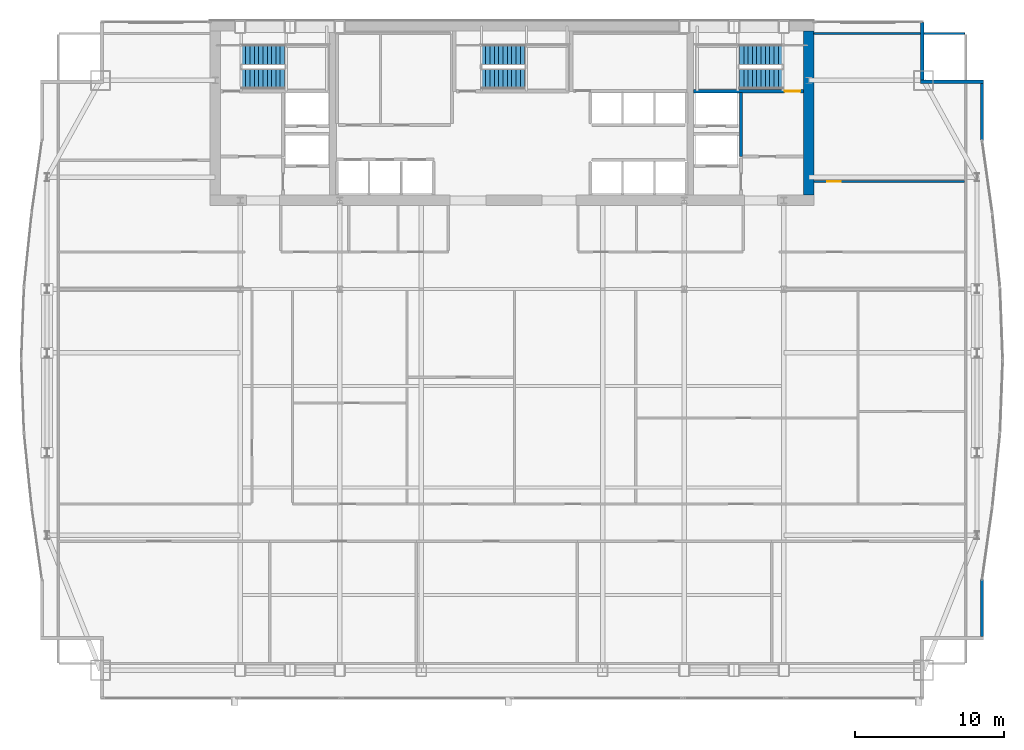
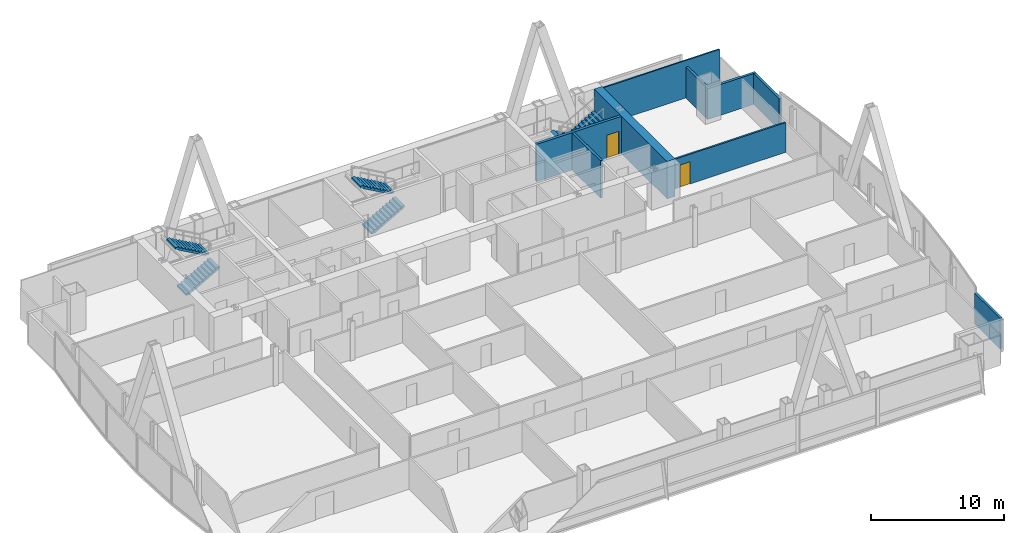
# One storey, part 28 of 30: 9 walls, 6 stair flights, 2 doors, 2 openings, 3 elements without a shape of their own.
"""IFC4 building model written with IfcOpenShell, lengths in metres."""

from ifc_helpers import new_model, si_unit, direction, frame, frame_2d, origin, place, context, subcontext, project, spatial, polyline, rectangle, outline, extrude, material, layer, layer_set, type_object, element, fill, aggregate, save


model = new_model("IFC4")

# Units and contexts
model_context = context("Model", 3, precision=1e-05, world=origin(), true_north=direction((0.0, 1.0)))
body_context = subcontext(model_context, "Body", "Model", "MODEL_VIEW")
ifc_project = project(units=[si_unit("LENGTHUNIT", "METRE"), si_unit("AREAUNIT", "SQUARE_METRE"), si_unit("VOLUMEUNIT", "CUBIC_METRE"), si_unit("PLANEANGLEUNIT", "RADIAN"), si_unit("MASSUNIT", "GRAM", prefix="KILO")], contexts=[model_context])

# Site, building, storey
site_placement = place(None, origin())
site = spatial("IfcSite", under=ifc_project, at=site_placement, CompositionType="ELEMENT")
building_placement = place(site_placement, origin())
building = spatial("IfcBuilding", under=site, at=building_placement, Name="Khoronbel Lancet Exchange", CompositionType="ELEMENT")
storey_placement = place(building_placement, frame((0.0, 0.0, 147.0)))
storey = spatial("IfcBuildingStorey", under=building, at=storey_placement, Name="L36", CompositionType="ELEMENT", Elevation=147.0)

# Walls
ifc_material_1 = material(Name="Concrete C80/95", Category="concrete")
ifc_layer_1 = layer(ifc_material_1, 0.699951171875, Name="Concrete C80/95")
ifc_layer_set_1 = layer_set([ifc_layer_1], Name="Concrete C80/95")
wall_type_1 = type_object("IfcWallType", Name="WL-CW2", PredefinedType="SHEAR", material=ifc_layer_set_1)
wall_1_placement = place(storey_placement, frame((56.35009765625, 53.0, 0.0), z_axis=(0.0, 0.0, 1.0), x_axis=(0.0, -1.0, 0.0)))
element("IfcWall", 1, at=wall_1_placement, inside=storey, type_object=wall_type_1, Name="Level L36 rear core east shear wall", PredefinedType="SHEAR", context=body_context, shape_type="SweptSolid", body=[
    extrude(rectangle(XDim=11.0, YDim=0.699951171875, at=frame_2d((5.5, 0.0))), origin(), (0.0, 0.0, 1.0), 3.43994140625),
])
ifc_material_2 = material(Name="Precast concrete C40/50", Category="concrete")
ifc_layer_2 = layer(ifc_material_2, 0.25, Name="Precast concrete C40/50")
ifc_layer_set_2 = layer_set([ifc_layer_2], Name="Precast concrete C40/50")
wall_type_2 = type_object("IfcWallType", Name="WL-EXT250", PredefinedType="SOLIDWALL", material=ifc_layer_set_2)
wall_2_placement = place(storey_placement, frame((63.9599609375, 53.6298828125, 0.0), z_axis=(0.0, 0.0, 1.0), x_axis=(0.0, -1.0, 0.0)))
element("IfcWall", 2, at=wall_2_placement, inside=storey, type_object=wall_type_2, Name="Level L36 notched-corner limestone pier 14", PredefinedType="SOLIDWALL", context=body_context, shape_type="SweptSolid", body=[
    extrude(rectangle(XDim=3.909912109375, YDim=0.219970703125, at=frame_2d((1.955078125, 0.0))), origin(), (0.0, 0.0, 1.0), 2.830078125),
])
wall_3_placement = place(storey_placement, frame((63.85009765625, 49.610107421875, 0.0), z_axis=(0.0, 0.0, 1.0), x_axis=(1.0, 0.0, 0.0)))
element("IfcWall", 3, at=wall_3_placement, inside=storey, type_object=wall_type_2, Name="Level L36 notched-corner limestone pier 15", PredefinedType="SOLIDWALL", context=body_context, shape_type="SweptSolid", body=[
    extrude(rectangle(XDim=4.219970703125, YDim=0.219970703125, at=frame_2d((2.10986328125, 0.0))), origin(), (0.0, 0.0, 1.0), 2.830078125),
])
for number, where, z_axis, x_axis, name in (
    (4, (67.9599609375, 49.5, 0.0), (0.0, 0.0, 1.0), (0.0, -1.0, 0.0), "Level L36 notched-corner limestone pier 16"),
    (5, (67.9599609375, 16.226318359375, 0.0), (0.0, 0.0, 1.0), (0.0, -1.0, 0.0), "Level L36 notched-corner limestone pier 23"),
):
    element("IfcWall", number, at=place(storey_placement, frame(where, z_axis=z_axis, x_axis=x_axis)), inside=storey, type_object=wall_type_2, Name=name, PredefinedType="SOLIDWALL", context=body_context, shape_type="SweptSolid", body=[
        extrude(rectangle(XDim=3.826416015625, YDim=0.219970703125, at=frame_2d((1.9130859375, 0.0))), origin(), (0.0, 0.0, 1.0), 2.830078125),
    ])

# Wall, opening, door
ifc_material_3 = material(Name="Acoustic Metal-Stud & Mineral-Wool Gypsum Partition 120 mm", Category="gypsum")
ifc_layer_3 = layer(ifc_material_3, 0.1201171875, Name="Acoustic Metal-Stud & Mineral-Wool Gypsum Partition 120 mm")
ifc_layer_set_3 = layer_set([ifc_layer_3], Name="Acoustic Metal-Stud & Mineral-Wool Gypsum Partition 120 mm")
wall_type_3 = type_object("IfcWallType", Name="WL-PRT120", PredefinedType="PARTITIONING", material=ifc_layer_set_3)
wall_4_placement = place(storey_placement, frame((56.699951171875, 42.919921875, 0.0), z_axis=(0.0, 0.0, 1.0), x_axis=(1.0, 0.0, 0.0)))
wall_4 = element("IfcWall", 6, at=wall_4_placement, inside=storey, type_object=wall_type_3, Name="Level L36 interior partition PW-NE-H", PredefinedType="PARTITIONING", context=body_context, shape_type="SweptSolid", body=[
    extrude(rectangle(XDim=10.10498046875, YDim=0.14990234375, at=frame_2d((5.052490234375, 0.0))), origin(), (0.0, 0.0, 1.0), 2.72998046875),
])
opening_1_placement = place(wall_4_placement, frame((0.89990234375, 0.0, 0.0)))
opening_1 = element("IfcOpeningElement", 7, at=opening_1_placement, cuts=wall_4, Name="Opening D5", PredefinedType="OPENING", context=body_context, shape_type="SweptSolid", body=[
    extrude(rectangle(XDim=0.89990234375, YDim=2.050048828125, at=frame_2d((0.449951171875, 1.02490234375))), frame((0.0, 0.0849609375, 0.0), z_axis=(0.0, -1.0, 0.0), x_axis=(1.0, 0.0, 0.0)), (0.0, 0.0, 1.0), 0.169921875),
])
ifc_material_4 = material(Name="Acoustic Timber Pantry & Support Door", Category="wood")
door_type_1 = type_object("IfcDoorType", Name="DR-D5", OperationType="NOTDEFINED", PredefinedType="DOOR", material=ifc_material_4)
door_1_placement = place(opening_1_placement, origin())
door_1 = element("IfcDoor", 8, at=door_1_placement, inside=storey, type_object=door_type_1, Name="NE north room door L36-1", OperationType="SINGLE_SWING_LEFT", OverallHeight=2.050048828125, OverallWidth=0.89990234375, PredefinedType="DOOR", context=body_context, shape_type="SweptSolid", body=[
    extrude(rectangle(XDim=0.89990234375, YDim=2.050048828125, at=frame_2d((0.449951171875, 1.02490234375))), frame((0.0, 0.02490234375, 0.0), z_axis=(0.0, -1.0, 0.0), x_axis=(1.0, 0.0, 0.0)), (0.0, 0.0, 1.0), 0.050048828125),
])
fill(opening_1, door_1)

# Walls
wall_5_placement = place(storey_placement, frame((56.699951171875, 52.840087890625, 0.0), z_axis=(0.0, 0.0, 1.0), x_axis=(1.0, 0.0, 0.0)))
element("IfcWall", 9, at=wall_5_placement, inside=storey, type_object=wall_type_3, Name="Level L36 interior partition PW-LIN-NE", PredefinedType="PARTITIONING", context=body_context, shape_type="SweptSolid", body=[
    extrude(rectangle(XDim=10.10498046875, YDim=0.1201171875, at=frame_2d((5.052490234375, 0.0))), origin(), (0.0, 0.0, 1.0), 3.43994140625),
])
ifc_material_5 = material(Name="Autoclaved Aerated Concrete Blockwork 200 mm", Category="masonry")
ifc_layer_4 = layer(ifc_material_5, 0.199951171875, Name="Autoclaved Aerated Concrete Blockwork 200 mm")
ifc_layer_set_4 = layer_set([ifc_layer_4], Name="Autoclaved Aerated Concrete Blockwork 200 mm")
wall_type_4 = type_object("IfcWallType", Name="WL-PRT200", PredefinedType="PARTITIONING", material=ifc_layer_set_4)
wall_6_placement = place(storey_placement, frame((51.800048828125, 44.60009765625, 0.0), z_axis=(0.0, 0.0, 1.0), x_axis=(0.0, 1.0, 0.0)))
element("IfcWall", 10, at=wall_6_placement, inside=storey, type_object=wall_type_4, Name="Level L36 interior partition CW-FFLE-W", PredefinedType="PARTITIONING", context=body_context, shape_type="SweptSolid", body=[
    extrude(rectangle(XDim=4.2998046875, YDim=0.199951171875, at=frame_2d((2.14990234375, 0.0))), origin(), (0.0, 0.0, 1.0), 3.43994140625),
])

# Wall, opening, door
ifc_material_6 = material(Name="Concrete C60/75", Category="concrete")
ifc_layer_5 = layer(ifc_material_6, 0.260009765625, Name="Concrete C60/75")
ifc_layer_set_5 = layer_set([ifc_layer_5], Name="Concrete C60/75")
wall_type_5 = type_object("IfcWallType", Name="WL-SW3", PredefinedType="SHEAR", material=ifc_layer_set_5)
wall_7_placement = place(storey_placement, frame((48.6298828125, 48.97998046875, 0.0), z_axis=(0.0, 0.0, 1.0), x_axis=(1.0, 0.0, 0.0)))
wall_7 = element("IfcWall", 11, at=wall_7_placement, inside=storey, type_object=wall_type_5, Name="Level L36 east stairwell structural south wall", PredefinedType="SHEAR", context=body_context, shape_type="SweptSolid", body=[
    extrude(rectangle(XDim=7.3701171875, YDim=0.239990234375, at=frame_2d((3.68505859375, 0.0))), origin(), (0.0, 0.0, 1.0), 3.43994140625),
])
opening_2_placement = place(wall_7_placement, frame((6.10009765625, 0.0, 0.0)))
opening_2 = element("IfcOpeningElement", 12, at=opening_2_placement, cuts=wall_7, Name="Opening SD1", PredefinedType="OPENING", context=body_context, shape_type="SweptSolid", body=[
    extrude(rectangle(XDim=1.050048828125, YDim=2.14990234375, at=frame_2d((0.52490234375, 1.074951171875))), frame((0.0, 0.1298828125, 0.0), z_axis=(0.0, -1.0, 0.0), x_axis=(1.0, 0.0, 0.0)), (0.0, 0.0, 1.0), 0.260009765625),
])
ifc_material_7 = material(Name="Fire-Rated Steel Stairwell Door Assembly", Category="steel")
door_type_2 = type_object("IfcDoorType", Name="DR-SD1", OperationType="NOTDEFINED", PredefinedType="DOOR", material=ifc_material_7)
door_2_placement = place(opening_2_placement, origin())
door_2 = element("IfcDoor", 13, at=door_2_placement, inside=storey, type_object=door_type_2, Name="Protected exit stair ST2 door L36", OperationType="SINGLE_SWING_RIGHT", OverallHeight=2.14990234375, OverallWidth=1.050048828125, PredefinedType="DOOR", context=body_context, shape_type="SweptSolid", body=[
    extrude(rectangle(XDim=1.050048828125, YDim=2.14990234375, at=frame_2d((0.52490234375, 1.074951171875))), frame((0.0, 0.02490234375, 0.0), z_axis=(0.0, -1.0, 0.0), x_axis=(1.0, 0.0, 0.0)), (0.0, 0.0, 1.0), 0.050048828125),
])
fill(opening_2, door_2)

# Stair, stair flights
ifc_material_8 = material(Name="Concrete C40/50", Category="concrete")
stair_type = type_object("IfcStairType", Name="STR-CORE150", PredefinedType="HALF_TURN_STAIR", material=ifc_material_8)
stair_1_placement = place(storey_placement, origin())
stair_1 = element("IfcStair", 14, at=stair_1_placement, inside=storey, type_object=stair_type, Name="L36 Protected Exit Stair ST1", PredefinedType="HALF_TURN_STAIR")
stair_flight_type = type_object("IfcStairFlightType", Name="STF-150", PredefinedType="STRAIGHT", material=ifc_material_8)
stair_flight_1_placement = place(storey_placement, frame((18.300048828125, 49.81005859375, 0.0), z_axis=(0.0, 0.0, 1.0), x_axis=(1.0, 0.0, 0.0)))
stair_flight_1 = element("IfcStairFlight", 15, at=stair_flight_1_placement, type_object=stair_flight_type, Name="ST1 flight 1", NumberOfRisers=11, NumberOfTreads=10, PredefinedType="STRAIGHT", RiserHeight=0.163636364, TreadLength=0.29, context=body_context, shape_type="SweptSolid", body=[
    extrude(outline(polyline([(0.0, 0.0), (0.0, 0.16357421875), (0.2900390625, 0.16357421875), (0.2900390625, 0.327392578125), (0.580078125, 0.327392578125), (0.580078125, 0.490966796875), (0.8701171875, 0.490966796875), (0.8701171875, 0.654541015625), (1.159912109375, 0.654541015625), (1.159912109375, 0.818115234375), (1.449951171875, 0.818115234375), (1.449951171875, 0.98193359375), (1.739990234375, 0.98193359375), (1.739990234375, 1.1455078125), (2.030029296875, 1.1455078125), (2.030029296875, 1.30908203125), (2.320068359375, 1.30908203125), (2.320068359375, 1.47265625), (2.610107421875, 1.47265625), (2.610107421875, 1.636474609375), (2.89990234375, 1.636474609375), (2.89990234375, 1.800048828125), (2.89990234375, 1.46435546875), (0.304931640625, 0.0), (0.0, 0.0)])), frame((0.0, 0.68994140625, 0.0), z_axis=(0.0, -1.0, 0.0), x_axis=(1.0, 0.0, 0.0)), (0.0, 0.0, 1.0), 1.3798828125),
])
stair_flight_2_placement = place(storey_placement, frame((21.199951171875, 51.409912109375, 1.800048828125), z_axis=(0.0, 0.0, 1.0), x_axis=(-1.0, 0.0, 0.0)))
stair_flight_2 = element("IfcStairFlight", 16, at=stair_flight_2_placement, type_object=stair_flight_type, Name="ST1 flight 2", NumberOfRisers=11, NumberOfTreads=10, PredefinedType="STRAIGHT", RiserHeight=0.163636364, TreadLength=0.29, context=body_context, shape_type="SweptSolid", body=[
    extrude(outline(polyline([(0.0, 0.0), (0.0, 0.16357421875), (0.2900390625, 0.16357421875), (0.2900390625, 0.327392578125), (0.580078125, 0.327392578125), (0.580078125, 0.490966796875), (0.8701171875, 0.490966796875), (0.8701171875, 0.654541015625), (1.159912109375, 0.654541015625), (1.159912109375, 0.818115234375), (1.449951171875, 0.818115234375), (1.449951171875, 0.98193359375), (1.739990234375, 0.98193359375), (1.739990234375, 1.1455078125), (2.030029296875, 1.1455078125), (2.030029296875, 1.30908203125), (2.320068359375, 1.30908203125), (2.320068359375, 1.47265625), (2.610107421875, 1.47265625), (2.610107421875, 1.636474609375), (2.89990234375, 1.636474609375), (2.89990234375, 1.800048828125), (2.89990234375, 1.46435546875), (0.304931640625, 0.0), (0.0, 0.0)])), frame((0.0, 0.68994140625, 0.0), z_axis=(0.0, -1.0, 0.0), x_axis=(1.0, 0.0, 0.0)), (0.0, 0.0, 1.0), 1.3798828125),
])
aggregate(stair_1, [stair_flight_1, stair_flight_2])

stair_2_placement = place(storey_placement, origin())
stair_2 = element("IfcStair", 17, at=stair_2_placement, inside=storey, type_object=stair_type, Name="L36 Protected Exit Stair ST2", PredefinedType="HALF_TURN_STAIR")
stair_flight_3_placement = place(storey_placement, frame((54.60009765625, 51.409912109375, 0.0), z_axis=(0.0, 0.0, 1.0), x_axis=(-1.0, 0.0, 0.0)))
stair_flight_3 = element("IfcStairFlight", 18, at=stair_flight_3_placement, type_object=stair_flight_type, Name="ST2 flight 1", NumberOfRisers=11, NumberOfTreads=10, PredefinedType="STRAIGHT", RiserHeight=0.163636364, TreadLength=0.29, context=body_context, shape_type="SweptSolid", body=[
    extrude(outline(polyline([(0.0, 0.0), (0.0, 0.16357421875), (0.2900390625, 0.16357421875), (0.2900390625, 0.327392578125), (0.580078125, 0.327392578125), (0.580078125, 0.490966796875), (0.8701171875, 0.490966796875), (0.8701171875, 0.654541015625), (1.159912109375, 0.654541015625), (1.159912109375, 0.818115234375), (1.449951171875, 0.818115234375), (1.449951171875, 0.98193359375), (1.739990234375, 0.98193359375), (1.739990234375, 1.1455078125), (2.030029296875, 1.1455078125), (2.030029296875, 1.30908203125), (2.320068359375, 1.30908203125), (2.320068359375, 1.47265625), (2.610107421875, 1.47265625), (2.610107421875, 1.636474609375), (2.89990234375, 1.636474609375), (2.89990234375, 1.800048828125), (2.89990234375, 1.46435546875), (0.304931640625, 0.0), (0.0, 0.0)])), frame((0.0, 0.68994140625, 0.0), z_axis=(0.0, -1.0, 0.0), x_axis=(1.0, 0.0, 0.0)), (0.0, 0.0, 1.0), 1.3798828125),
])
stair_flight_4_placement = place(storey_placement, frame((51.699951171875, 49.81005859375, 1.800048828125), z_axis=(0.0, 0.0, 1.0), x_axis=(1.0, 0.0, 0.0)))
stair_flight_4 = element("IfcStairFlight", 19, at=stair_flight_4_placement, type_object=stair_flight_type, Name="ST2 flight 2", NumberOfRisers=11, NumberOfTreads=10, PredefinedType="STRAIGHT", RiserHeight=0.163636364, TreadLength=0.29, context=body_context, shape_type="SweptSolid", body=[
    extrude(outline(polyline([(0.0, 0.0), (0.0, 0.16357421875), (0.2900390625, 0.16357421875), (0.2900390625, 0.327392578125), (0.580078125, 0.327392578125), (0.580078125, 0.490966796875), (0.8701171875, 0.490966796875), (0.8701171875, 0.654541015625), (1.159912109375, 0.654541015625), (1.159912109375, 0.818115234375), (1.449951171875, 0.818115234375), (1.449951171875, 0.98193359375), (1.739990234375, 0.98193359375), (1.739990234375, 1.1455078125), (2.030029296875, 1.1455078125), (2.030029296875, 1.30908203125), (2.320068359375, 1.30908203125), (2.320068359375, 1.47265625), (2.610107421875, 1.47265625), (2.610107421875, 1.636474609375), (2.89990234375, 1.636474609375), (2.89990234375, 1.800048828125), (2.89990234375, 1.46435546875), (0.304931640625, 0.0), (0.0, 0.0)])), frame((0.0, 0.68994140625, 0.0), z_axis=(0.0, -1.0, 0.0), x_axis=(1.0, 0.0, 0.0)), (0.0, 0.0, 1.0), 1.3798828125),
])
aggregate(stair_2, [stair_flight_3, stair_flight_4])

stair_3_placement = place(storey_placement, origin())
stair_3 = element("IfcStair", 20, at=stair_3_placement, inside=storey, type_object=stair_type, Name="L36 Protected Exit Stair ST3", PredefinedType="HALF_TURN_STAIR")
stair_flight_5_placement = place(storey_placement, frame((34.39990234375, 49.81005859375, 0.0), z_axis=(0.0, 0.0, 1.0), x_axis=(1.0, 0.0, 0.0)))
stair_flight_5 = element("IfcStairFlight", 21, at=stair_flight_5_placement, type_object=stair_flight_type, Name="ST3 flight 1", NumberOfRisers=11, NumberOfTreads=10, PredefinedType="STRAIGHT", RiserHeight=0.163636364, TreadLength=0.29, context=body_context, shape_type="SweptSolid", body=[
    extrude(outline(polyline([(0.0, 0.0), (0.0, 0.16357421875), (0.2900390625, 0.16357421875), (0.2900390625, 0.327392578125), (0.580078125, 0.327392578125), (0.580078125, 0.490966796875), (0.8701171875, 0.490966796875), (0.8701171875, 0.654541015625), (1.159912109375, 0.654541015625), (1.159912109375, 0.818115234375), (1.449951171875, 0.818115234375), (1.449951171875, 0.98193359375), (1.739990234375, 0.98193359375), (1.739990234375, 1.1455078125), (2.030029296875, 1.1455078125), (2.030029296875, 1.30908203125), (2.320068359375, 1.30908203125), (2.320068359375, 1.47265625), (2.610107421875, 1.47265625), (2.610107421875, 1.636474609375), (2.89990234375, 1.636474609375), (2.89990234375, 1.800048828125), (2.89990234375, 1.46435546875), (0.304931640625, 0.0), (0.0, 0.0)])), frame((0.0, 0.68994140625, 0.0), z_axis=(0.0, -1.0, 0.0), x_axis=(1.0, 0.0, 0.0)), (0.0, 0.0, 1.0), 1.3798828125),
])
stair_flight_6_placement = place(storey_placement, frame((37.300048828125, 51.409912109375, 1.800048828125), z_axis=(0.0, 0.0, 1.0), x_axis=(-1.0, 0.0, 0.0)))
stair_flight_6 = element("IfcStairFlight", 22, at=stair_flight_6_placement, type_object=stair_flight_type, Name="ST3 flight 2", NumberOfRisers=11, NumberOfTreads=10, PredefinedType="STRAIGHT", RiserHeight=0.163636364, TreadLength=0.29, context=body_context, shape_type="SweptSolid", body=[
    extrude(outline(polyline([(0.0, 0.0), (0.0, 0.16357421875), (0.2900390625, 0.16357421875), (0.2900390625, 0.327392578125), (0.580078125, 0.327392578125), (0.580078125, 0.490966796875), (0.8701171875, 0.490966796875), (0.8701171875, 0.654541015625), (1.159912109375, 0.654541015625), (1.159912109375, 0.818115234375), (1.449951171875, 0.818115234375), (1.449951171875, 0.98193359375), (1.739990234375, 0.98193359375), (1.739990234375, 1.1455078125), (2.030029296875, 1.1455078125), (2.030029296875, 1.30908203125), (2.320068359375, 1.30908203125), (2.320068359375, 1.47265625), (2.610107421875, 1.47265625), (2.610107421875, 1.636474609375), (2.89990234375, 1.636474609375), (2.89990234375, 1.800048828125), (2.89990234375, 1.46435546875), (0.304931640625, 0.0), (0.0, 0.0)])), frame((0.0, 0.68994140625, 0.0), z_axis=(0.0, -1.0, 0.0), x_axis=(1.0, 0.0, 0.0)), (0.0, 0.0, 1.0), 1.3798828125),
])
aggregate(stair_3, [stair_flight_5, stair_flight_6])

save(model, "model.ifc")
